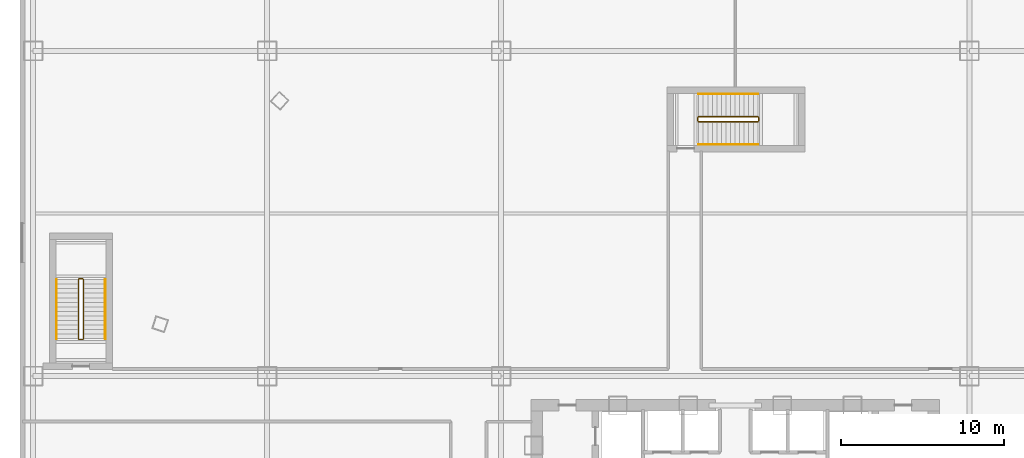
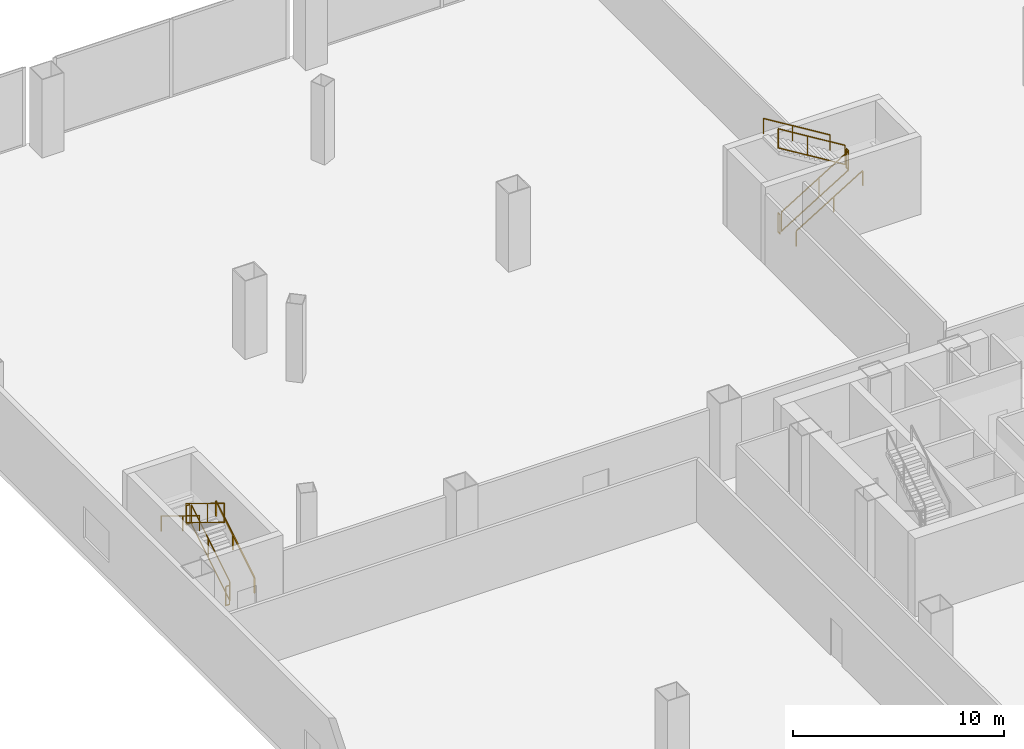
# One storey, part 39 of 40: 12 railings.
"""IFC4 building model written with IfcOpenShell, lengths in metres."""

from ifc_helpers import new_model, si_unit, direction, frame, origin, origin_2d, place, context, subcontext, project, spatial, rectangle, extrude, material, type_object, element, save


model = new_model("IFC4")

# Units and contexts
model_context = context("Model", 3, precision=1e-05, world=origin(), true_north=direction((0.0, 1.0)))
body_context = subcontext(model_context, "Body", "Model", "MODEL_VIEW")
ifc_project = project(units=[si_unit("LENGTHUNIT", "METRE"), si_unit("AREAUNIT", "SQUARE_METRE"), si_unit("VOLUMEUNIT", "CUBIC_METRE"), si_unit("PLANEANGLEUNIT", "RADIAN"), si_unit("MASSUNIT", "GRAM", prefix="KILO"), si_unit("THERMODYNAMICTEMPERATUREUNIT", "KELVIN"), si_unit("POWERUNIT", "WATT")], contexts=[model_context])

# Site, building, storey
site_placement = place(None, origin())
site = spatial("IfcSite", under=ifc_project, at=site_placement, CompositionType="ELEMENT")
building_placement = place(site_placement, origin())
building = spatial("IfcBuilding", under=site, at=building_placement, Name="Yunzhuo Pagoda Commons", CompositionType="ELEMENT")
storey_placement = place(building_placement, frame((0.0, 0.0, 14.39990234375)))
storey = spatial("IfcBuildingStorey", under=building, at=storey_placement, Name="L04", CompositionType="ELEMENT", Elevation=14.39990234375)

# Railings
ifc_material = material(Name="Anodized aluminium 6063-T6", Category="aluminium")
railing_type_1 = type_object("IfcRailingType", Name="GR-PS3 Podium Well Guardrail 1150", PredefinedType="GUARDRAIL", material=ifc_material)
railing_1_placement = place(storey_placement, frame((7.89990234375, 44.300048828125, 0.171630859375)))
element("IfcRailing", 1, at=railing_1_placement, inside=storey, type_object=railing_type_1, Name="L04 PS3 stair guard 1", PredefinedType="GUARDRAIL", context=body_context, shape_type="SweptSolid", body=[
    extrude(rectangle(XDim=0.048095703125, YDim=0.048095703125, at=origin_2d()), frame((0.0, 0.0, 1.1259765625), z_axis=(0.0, 0.852850264322, 0.5221555579), x_axis=(-1.0, 0.0, 0.0)), (0.0, 0.0, 1.0), 4.267822265625),
    extrude(rectangle(XDim=0.048095703125, YDim=0.048095703125, at=origin_2d()), frame((0.0, 0.0, 0.02392578125), z_axis=(0.0, 0.852850264322, 0.5221555579), x_axis=(-1.0, 0.0, 0.0)), (0.0, 0.0, 1.0), 4.267822265625),
    extrude(rectangle(XDim=0.0419921875, YDim=0.0419921875, at=origin_2d()), origin(), (0.0, 0.0, 1.0), 1.101806640625),
    extrude(rectangle(XDim=0.0419921875, YDim=0.0419921875, at=origin_2d()), frame((0.0, 2.046875, 1.253173828125)), (0.0, 0.0, 1.0), 1.101806640625),
    extrude(rectangle(XDim=0.0419921875, YDim=0.0419921875, at=origin_2d()), frame((0.0, 3.639892578125, 2.228515625)), (0.0, 0.0, 1.0), 1.101806640625),
])
railing_2_placement = place(storey_placement, frame((7.85009765625, 47.989990234375, 2.400146484375)))
element("IfcRailing", 2, at=railing_2_placement, inside=storey, type_object=railing_type_1, Name="L04 PS3 stair guard 2", PredefinedType="GUARDRAIL", context=body_context, shape_type="SweptSolid", body=[
    extrude(rectangle(XDim=0.048095703125, YDim=0.048095703125, at=origin_2d()), frame((0.0, 0.0, 1.1259765625), z_axis=(-1.0, 0.0, 0.0), x_axis=(0.0, -1.0, 0.0)), (0.0, 0.0, 1.0), 0.2001953125),
    extrude(rectangle(XDim=0.048095703125, YDim=0.048095703125, at=origin_2d()), frame((0.0, 0.0, 0.02392578125), z_axis=(-1.0, 0.0, 0.0), x_axis=(0.0, -1.0, 0.0)), (0.0, 0.0, 1.0), 0.2001953125),
    extrude(rectangle(XDim=0.0419921875, YDim=0.0419921875, at=origin_2d()), origin(), (0.0, 0.0, 1.0), 1.101806640625),
    extrude(rectangle(XDim=0.0419921875, YDim=0.0419921875, at=origin_2d()), frame((-0.2001953125, 0.0, 0.0)), (0.0, 0.0, 1.0), 1.101806640625),
])
railing_3_placement = place(storey_placement, frame((7.60009765625, 47.93994140625, 2.571533203125)))
element("IfcRailing", 3, at=railing_3_placement, inside=storey, type_object=railing_type_1, Name="L04 PS3 stair guard 3", PredefinedType="GUARDRAIL", context=body_context, shape_type="SweptSolid", body=[
    extrude(rectangle(XDim=0.048095703125, YDim=0.048095703125, at=origin_2d()), frame((0.0, 0.0, 1.1259765625), z_axis=(0.0, -0.852850264322, 0.5221555579), x_axis=(1.0, 0.0, 0.0)), (0.0, 0.0, 1.0), 4.267822265625),
    extrude(rectangle(XDim=0.048095703125, YDim=0.048095703125, at=origin_2d()), frame((0.0, 0.0, 0.02392578125), z_axis=(0.0, -0.852850264322, 0.5221555579), x_axis=(1.0, 0.0, 0.0)), (0.0, 0.0, 1.0), 4.267822265625),
    extrude(rectangle(XDim=0.0419921875, YDim=0.0419921875, at=origin_2d()), origin(), (0.0, 0.0, 1.0), 1.101806640625),
    extrude(rectangle(XDim=0.0419921875, YDim=0.0419921875, at=origin_2d()), frame((0.0, -2.046875, 1.253173828125)), (0.0, 0.0, 1.0), 1.101806640625),
    extrude(rectangle(XDim=0.0419921875, YDim=0.0419921875, at=origin_2d()), frame((0.0, -3.639892578125, 2.228515625)), (0.0, 0.0, 1.0), 1.101806640625),
])
railing_4_placement = place(storey_placement, frame((7.85009765625, 44.25, 0.0)))
element("IfcRailing", 4, at=railing_4_placement, inside=storey, type_object=railing_type_1, Name="L04 PS3 stair guard 4", PredefinedType="GUARDRAIL", context=body_context, shape_type="SweptSolid", body=[
    extrude(rectangle(XDim=0.048095703125, YDim=0.048095703125, at=origin_2d()), frame((0.0, 0.0, 1.1259765625), z_axis=(-1.0, 0.0, 0.0), x_axis=(0.0, -1.0, 0.0)), (0.0, 0.0, 1.0), 0.2001953125),
    extrude(rectangle(XDim=0.048095703125, YDim=0.048095703125, at=origin_2d()), frame((0.0, 0.0, 0.02392578125), z_axis=(-1.0, 0.0, 0.0), x_axis=(0.0, -1.0, 0.0)), (0.0, 0.0, 1.0), 0.2001953125),
    extrude(rectangle(XDim=0.0419921875, YDim=0.0419921875, at=origin_2d()), origin(), (0.0, 0.0, 1.0), 1.101806640625),
    extrude(rectangle(XDim=0.0419921875, YDim=0.0419921875, at=origin_2d()), frame((-0.2001953125, 0.0, 0.0)), (0.0, 0.0, 1.0), 1.101806640625),
])
railing_type_2 = type_object("IfcRailingType", Name="GR-ST3 North Well Guardrail 1155", PredefinedType="GUARDRAIL", material=ifc_material)
railing_5_placement = place(storey_placement, frame((45.75, 57.64990234375, 0.171630859375)))
element("IfcRailing", 5, at=railing_5_placement, inside=storey, type_object=railing_type_2, Name="L04 ST3 stair guard 1", PredefinedType="GUARDRAIL", context=body_context, shape_type="SweptSolid", body=[
    extrude(rectangle(XDim=0.048095703125, YDim=0.048095703125, at=origin_2d()), frame((0.0, 0.0, 1.1259765625), z_axis=(0.852850264322, 0.0, 0.5221555579), x_axis=(0.0, 1.0, 0.0)), (0.0, 0.0, 1.0), 4.267822265625),
    extrude(rectangle(XDim=0.048095703125, YDim=0.048095703125, at=origin_2d()), frame((0.0, 0.0, 0.02392578125), z_axis=(0.852850264322, 0.0, 0.5221555579), x_axis=(0.0, 1.0, 0.0)), (0.0, 0.0, 1.0), 4.267822265625),
    extrude(rectangle(XDim=0.0419921875, YDim=0.0419921875, at=origin_2d()), origin(), (0.0, 0.0, 1.0), 1.101806640625),
    extrude(rectangle(XDim=0.0419921875, YDim=0.0419921875, at=origin_2d()), frame((2.046875, 0.0, 1.253173828125)), (0.0, 0.0, 1.0), 1.101806640625),
    extrude(rectangle(XDim=0.0419921875, YDim=0.0419921875, at=origin_2d()), frame((3.639892578125, 0.0, 2.228515625)), (0.0, 0.0, 1.0), 1.101806640625),
])
railing_6_placement = place(storey_placement, frame((49.43994140625, 57.699951171875, 2.400146484375)))
element("IfcRailing", 6, at=railing_6_placement, inside=storey, type_object=railing_type_2, Name="L04 ST3 stair guard 2", PredefinedType="GUARDRAIL", context=body_context, shape_type="SweptSolid", body=[
    extrude(rectangle(XDim=0.048095703125, YDim=0.048095703125, at=origin_2d()), frame((0.0, 0.0, 1.1259765625), z_axis=(0.0, 1.0, 0.0), x_axis=(-1.0, 0.0, 0.0)), (0.0, 0.0, 1.0), 0.199951171875),
    extrude(rectangle(XDim=0.048095703125, YDim=0.048095703125, at=origin_2d()), frame((0.0, 0.0, 0.02392578125), z_axis=(0.0, 1.0, 0.0), x_axis=(-1.0, 0.0, 0.0)), (0.0, 0.0, 1.0), 0.199951171875),
    extrude(rectangle(XDim=0.0419921875, YDim=0.0419921875, at=origin_2d()), origin(), (0.0, 0.0, 1.0), 1.101806640625),
    extrude(rectangle(XDim=0.0419921875, YDim=0.0419921875, at=origin_2d()), frame((0.0, 0.199951171875, 0.0)), (0.0, 0.0, 1.0), 1.101806640625),
])
railing_7_placement = place(storey_placement, frame((49.389892578125, 57.949951171875, 2.571533203125)))
element("IfcRailing", 7, at=railing_7_placement, inside=storey, type_object=railing_type_2, Name="L04 ST3 stair guard 3", PredefinedType="GUARDRAIL", context=body_context, shape_type="SweptSolid", body=[
    extrude(rectangle(XDim=0.048095703125, YDim=0.048095703125, at=origin_2d()), frame((0.0, 0.0, 1.1259765625), z_axis=(-0.852850264322, 0.0, 0.5221555579), x_axis=(0.0, -1.0, 0.0)), (0.0, 0.0, 1.0), 4.267822265625),
    extrude(rectangle(XDim=0.048095703125, YDim=0.048095703125, at=origin_2d()), frame((0.0, 0.0, 0.02392578125), z_axis=(-0.852850264322, 0.0, 0.5221555579), x_axis=(0.0, -1.0, 0.0)), (0.0, 0.0, 1.0), 4.267822265625),
    extrude(rectangle(XDim=0.0419921875, YDim=0.0419921875, at=origin_2d()), origin(), (0.0, 0.0, 1.0), 1.101806640625),
    extrude(rectangle(XDim=0.0419921875, YDim=0.0419921875, at=origin_2d()), frame((-2.046875, 0.0, 1.253173828125)), (0.0, 0.0, 1.0), 1.101806640625),
    extrude(rectangle(XDim=0.0419921875, YDim=0.0419921875, at=origin_2d()), frame((-3.639892578125, 0.0, 2.228515625)), (0.0, 0.0, 1.0), 1.101806640625),
])
railing_8_placement = place(storey_placement, frame((45.699951171875, 57.699951171875, 0.0)))
element("IfcRailing", 8, at=railing_8_placement, inside=storey, type_object=railing_type_2, Name="L04 ST3 stair guard 4", PredefinedType="GUARDRAIL", context=body_context, shape_type="SweptSolid", body=[
    extrude(rectangle(XDim=0.048095703125, YDim=0.048095703125, at=origin_2d()), frame((0.0, 0.0, 1.1259765625), z_axis=(0.0, 1.0, 0.0), x_axis=(-1.0, 0.0, 0.0)), (0.0, 0.0, 1.0), 0.199951171875),
    extrude(rectangle(XDim=0.048095703125, YDim=0.048095703125, at=origin_2d()), frame((0.0, 0.0, 0.02392578125), z_axis=(0.0, 1.0, 0.0), x_axis=(-1.0, 0.0, 0.0)), (0.0, 0.0, 1.0), 0.199951171875),
    extrude(rectangle(XDim=0.0419921875, YDim=0.0419921875, at=origin_2d()), origin(), (0.0, 0.0, 1.0), 1.101806640625),
    extrude(rectangle(XDim=0.0419921875, YDim=0.0419921875, at=origin_2d()), frame((0.0, 0.199951171875, 0.0)), (0.0, 0.0, 1.0), 1.101806640625),
])
railing_type_3 = type_object("IfcRailingType", Name="HR-PS3 Podium Stair Handrail 900", PredefinedType="HANDRAIL", material=ifc_material)
railing_9_placement = place(storey_placement, frame((9.25, 44.300048828125, 0.171630859375)))
element("IfcRailing", 9, at=railing_9_placement, inside=storey, type_object=railing_type_3, Name="L04 PS3 stair handrail 1", PredefinedType="HANDRAIL", context=body_context, shape_type="SweptSolid", body=[
    extrude(rectangle(XDim=0.048095703125, YDim=0.048095703125, at=origin_2d()), frame((0.0, 0.0, 0.8759765625), z_axis=(0.0, 0.852850264322, 0.5221555579), x_axis=(-1.0, 0.0, 0.0)), (0.0, 0.0, 1.0), 4.267822265625),
    extrude(rectangle(XDim=0.0419921875, YDim=0.0419921875, at=origin_2d()), origin(), (0.0, 0.0, 1.0), 0.851806640625),
    extrude(rectangle(XDim=0.0419921875, YDim=0.0419921875, at=origin_2d()), frame((0.0, 2.046875, 1.253173828125)), (0.0, 0.0, 1.0), 0.851806640625),
    extrude(rectangle(XDim=0.0419921875, YDim=0.0419921875, at=origin_2d()), frame((0.0, 3.639892578125, 2.228515625)), (0.0, 0.0, 1.0), 0.851806640625),
])
railing_10_placement = place(storey_placement, frame((6.25, 47.93994140625, 2.571533203125)))
element("IfcRailing", 10, at=railing_10_placement, inside=storey, type_object=railing_type_3, Name="L04 PS3 stair handrail 2", PredefinedType="HANDRAIL", context=body_context, shape_type="SweptSolid", body=[
    extrude(rectangle(XDim=0.048095703125, YDim=0.048095703125, at=origin_2d()), frame((0.0, 0.0, 0.8759765625), z_axis=(0.0, -0.852850264322, 0.5221555579), x_axis=(1.0, 0.0, 0.0)), (0.0, 0.0, 1.0), 4.267822265625),
    extrude(rectangle(XDim=0.0419921875, YDim=0.0419921875, at=origin_2d()), origin(), (0.0, 0.0, 1.0), 0.851806640625),
    extrude(rectangle(XDim=0.0419921875, YDim=0.0419921875, at=origin_2d()), frame((0.0, -2.046875, 1.253173828125)), (0.0, 0.0, 1.0), 0.851806640625),
    extrude(rectangle(XDim=0.0419921875, YDim=0.0419921875, at=origin_2d()), frame((0.0, -3.639892578125, 2.228515625)), (0.0, 0.0, 1.0), 0.851806640625),
])
railing_type_4 = type_object("IfcRailingType", Name="HR-ST3 North Stair Handrail 900", PredefinedType="HANDRAIL", material=ifc_material)
railing_11_placement = place(storey_placement, frame((45.75, 56.25, 0.171630859375)))
element("IfcRailing", 11, at=railing_11_placement, inside=storey, type_object=railing_type_4, Name="L04 ST3 stair handrail 1", PredefinedType="HANDRAIL", context=body_context, shape_type="SweptSolid", body=[
    extrude(rectangle(XDim=0.048095703125, YDim=0.048095703125, at=origin_2d()), frame((0.0, 0.0, 0.8759765625), z_axis=(0.852850264322, 0.0, 0.5221555579), x_axis=(0.0, 1.0, 0.0)), (0.0, 0.0, 1.0), 4.267822265625),
    extrude(rectangle(XDim=0.0419921875, YDim=0.0419921875, at=origin_2d()), origin(), (0.0, 0.0, 1.0), 0.851806640625),
    extrude(rectangle(XDim=0.0419921875, YDim=0.0419921875, at=origin_2d()), frame((2.046875, 0.0, 1.253173828125)), (0.0, 0.0, 1.0), 0.851806640625),
    extrude(rectangle(XDim=0.0419921875, YDim=0.0419921875, at=origin_2d()), frame((3.639892578125, 0.0, 2.228515625)), (0.0, 0.0, 1.0), 0.851806640625),
])
railing_12_placement = place(storey_placement, frame((49.389892578125, 59.35009765625, 2.571533203125)))
element("IfcRailing", 12, at=railing_12_placement, inside=storey, type_object=railing_type_4, Name="L04 ST3 stair handrail 2", PredefinedType="HANDRAIL", context=body_context, shape_type="SweptSolid", body=[
    extrude(rectangle(XDim=0.048095703125, YDim=0.048095703125, at=origin_2d()), frame((0.0, 0.0, 0.8759765625), z_axis=(-0.852850264322, 0.0, 0.5221555579), x_axis=(0.0, -1.0, 0.0)), (0.0, 0.0, 1.0), 4.267822265625),
    extrude(rectangle(XDim=0.0419921875, YDim=0.0419921875, at=origin_2d()), origin(), (0.0, 0.0, 1.0), 0.851806640625),
    extrude(rectangle(XDim=0.0419921875, YDim=0.0419921875, at=origin_2d()), frame((-2.046875, 0.0, 1.253173828125)), (0.0, 0.0, 1.0), 0.851806640625),
    extrude(rectangle(XDim=0.0419921875, YDim=0.0419921875, at=origin_2d()), frame((-3.639892578125, 0.0, 2.228515625)), (0.0, 0.0, 1.0), 0.851806640625),
])

save(model, "model.ifc")
